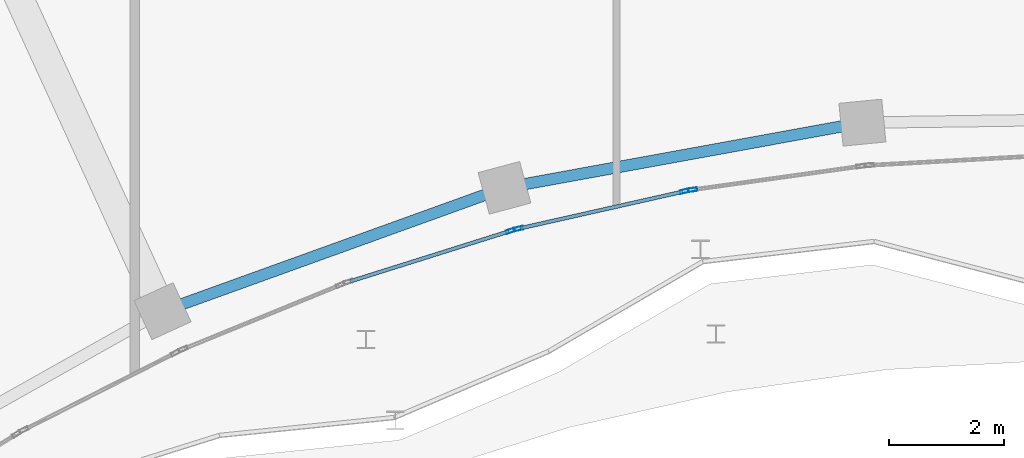
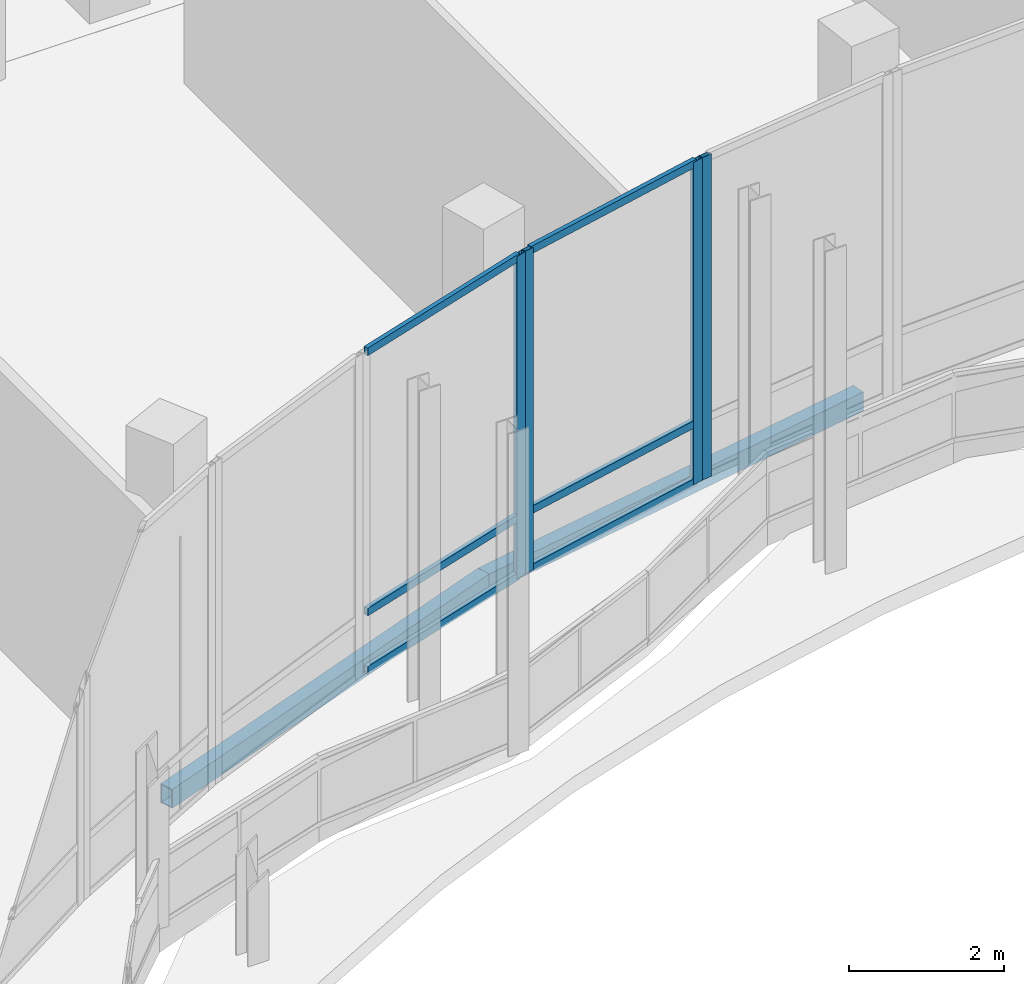
# One storey, part 64 of 158: 10 members, 2 beams, 3 elements without a shape of their own.
"""IFC4 building model written with IfcOpenShell, lengths in metres."""

import ifcopenshell
import ifcopenshell.guid

model = None  # the IFC model being written
_history = None  # IfcOwnerHistory: only IFC2X3 demands one
_inside = {}  # id of a spatial element -> (the spatial element, [elements in it])
_under = {}  # id of a project, library or spatial element -> (it, [spatial elements below it])
_declared = {}  # id of a project -> (the project, [libraries it declares])
_typed = {}  # id of a type object -> (the type object, [elements of that type])
_made_of = {}  # id of a material, layer set ... -> (it, [elements and type objects made of it])


def new_model(schema):
    """Start an empty IFC model of exactly this schema.

    Asked for "IFC4X3", IfcOpenShell would pick the latest addendum, in which some entities
    have other attributes; the version numbers below select the first issue.
    IFC2X3 requires an IfcOwnerHistory on every rooted entity: one is made here for all.
    """
    global model, _history
    if schema == "IFC4X3":
        model = ifcopenshell.file(schema_version=(4, 3, 0, 0))
    else:
        model = ifcopenshell.file(schema=schema)
    _inside.clear()
    _under.clear()
    _declared.clear()
    _typed.clear()
    _made_of.clear()
    _history = None
    if model.schema == "IFC2X3":
        org = make("IfcOrganization", Name="unknown")
        user = make(
            "IfcPersonAndOrganization",
            ThePerson=make("IfcPerson", FamilyName="unknown"),
            TheOrganization=org,
        )
        app = make(
            "IfcApplication",
            ApplicationDeveloper=org,
            Version="unknown",
            ApplicationFullName="unknown",
            ApplicationIdentifier="unknown",
        )
        _history = make(
            "IfcOwnerHistory",
            OwningUser=user,
            OwningApplication=app,
            ChangeAction="ADDED",
            CreationDate=0,
        )
    return model


def make(cls, **values):
    """One entity of the class cls with the attributes given. An attribute that is None is left unset."""
    return model.create_entity(
        cls, **{name: value for name, value in values.items() if value is not None}
    )


def rooted(cls, **values):
    """An entity with a GlobalId (a new one), such as an element, a storey or a relation."""
    return make(cls, GlobalId=ifcopenshell.guid.new(), OwnerHistory=_history, **values)


def si_unit(unit_type, name, prefix=None):
    """IfcSIUnit, for example si_unit("LENGTHUNIT", "METRE", prefix="MILLI")."""
    return make("IfcSIUnit", UnitType=unit_type, Prefix=prefix, Name=name)


def assignment(units):
    """IfcUnitAssignment: the units of a project."""
    return None if units is None else make("IfcUnitAssignment", Units=units)


def point(xyz):
    """IfcCartesianPoint."""
    return None if xyz is None else make("IfcCartesianPoint", Coordinates=xyz)


def direction(xyz):
    """IfcDirection."""
    return None if xyz is None else make("IfcDirection", DirectionRatios=xyz)


def frame(location, z_axis=None, x_axis=None):
    """IfcAxis2Placement3D, a coordinate frame: its origin and axes. An axis left out is left unset."""
    return make(
        "IfcAxis2Placement3D",
        Location=point(location),
        Axis=direction(z_axis),
        RefDirection=direction(x_axis),
    )


def frame_2d(location, x_axis=None):
    """IfcAxis2Placement2D, a coordinate frame in the plane: its origin and x axis."""
    return make(
        "IfcAxis2Placement2D", Location=point(location), RefDirection=direction(x_axis)
    )


def origin():
    """The frame at (0, 0, 0) with its axes left unset."""
    return frame((0.0, 0.0, 0.0))


def origin_2d():
    """The frame at (0, 0) in the plane with its x axis left unset."""
    return frame_2d((0.0, 0.0))


def place(relative_to, where):
    """IfcLocalPlacement: puts the frame where relative to a parent placement (None: the world)."""
    return make(
        "IfcLocalPlacement", PlacementRelTo=relative_to, RelativePlacement=where
    )


def context(
    kind, dimensions, precision=None, world=None, true_north=None, identifier=None
):
    """IfcGeometricRepresentationContext, for example the 3D "Model" context."""
    return make(
        "IfcGeometricRepresentationContext",
        ContextIdentifier=identifier,
        ContextType=kind,
        CoordinateSpaceDimension=dimensions,
        Precision=precision,
        WorldCoordinateSystem=world,
        TrueNorth=true_north,
    )


def subcontext(parent, identifier, kind, view, scale=None):
    """IfcGeometricRepresentationSubContext, for example "Body" below "Model"."""
    return make(
        "IfcGeometricRepresentationSubContext",
        ContextIdentifier=identifier,
        ContextType=kind,
        ParentContext=parent,
        TargetScale=scale,
        TargetView=view,
    )


def project(units=None, contexts=None):
    """IfcProject with its units and contexts."""
    return rooted(
        "IfcProject",
        Name="project",
        RepresentationContexts=contexts,
        UnitsInContext=assignment(units),
    )


def spatial(cls, under=None, at=None, **own):
    """A site, building, storey or space (cls), placed at a placement, below another one or the project."""
    s = rooted(cls, ObjectPlacement=at, **own)
    if under is not None:
        _under.setdefault(under.id(), (under, []))[1].append(s)
    return s


def profile(cls, at=None, kind="AREA", **sizes):
    """A parametric profile (cls). Its sizes go by their IFC names, for example OverallWidth=200.0."""
    return make(cls, ProfileType=kind, Position=at, **sizes)


def hollow_rectangle(**sizes):
    """IfcRectangleHollowProfileDef."""
    return profile("IfcRectangleHollowProfileDef", **sizes)


def extrude(swept, where, along, depth):
    """IfcExtrudedAreaSolid: the profile swept, set in the frame where, extruded along a direction by depth."""
    return make(
        "IfcExtrudedAreaSolid",
        SweptArea=swept,
        Position=where,
        ExtrudedDirection=direction(along),
        Depth=depth,
    )


def shape(context_of_items, identifier, shape_type, items):
    """IfcShapeRepresentation: the items that make up one representation, for example the "Body"."""
    return make(
        "IfcShapeRepresentation",
        ContextOfItems=context_of_items,
        RepresentationIdentifier=identifier,
        RepresentationType=shape_type,
        Items=items,
    )


def material(Name=None, Category=None):
    """IfcMaterial."""
    return make("IfcMaterial", Name=Name, Category=Category)


def material_profile(
    of_material, cross_section, Name=None, Category=None, Priority=None
):
    """IfcMaterialProfile: a cross section and its material."""
    return make(
        "IfcMaterialProfile",
        Name=Name,
        Material=of_material,
        Profile=cross_section,
        Priority=Priority,
        Category=Category,
    )


def profile_set(profiles, Name=None, composite=None):
    """IfcMaterialProfileSet."""
    return make(
        "IfcMaterialProfileSet",
        Name=Name,
        MaterialProfiles=profiles,
        CompositeProfile=composite,
    )


def made_of(thing, what):
    """Note that an element or type object is made of a material, layer set ...; save() writes the relation."""
    if what is not None:
        _made_of.setdefault(what.id(), (what, []))[1].append(thing)
    return thing


def type_object(cls, material=None, **own):
    """A type object (cls), such as IfcWallType, which elements share."""
    return made_of(rooted(cls, **own), material)


def element(
    cls,
    number,
    at=None,
    inside=None,
    cuts=None,
    type_object=None,
    material=None,
    context=None,
    identifier="Body",
    shape_type=None,
    held_by="IfcProductDefinitionShape",
    body=None,
    shapes=None,
    **own,
):
    """One element of the class cls, such as IfcWall. Its Tag is "e" and its number.

    at: its placement. inside: the storey or other place that contains it. cuts: it is an
    opening in that element (IfcRelVoidsElement). A single representation is given by context,
    identifier, shape_type and body (its items); several are given by shapes. held_by: the class
    of the entity that holds the representations. save() writes the other relations.
    """
    e = rooted(cls, Tag="e%d" % number, ObjectPlacement=at, **own)
    if body is not None:
        shapes = [shape(context, identifier, shape_type, body)]
    if shapes is not None:
        e.Representation = make(held_by, Representations=shapes)
    if inside is not None:
        _inside.setdefault(inside.id(), (inside, []))[1].append(e)
    if cuts is not None:
        rooted(
            "IfcRelVoidsElement", RelatingBuildingElement=cuts, RelatedOpeningElement=e
        )
    if type_object is not None:
        _typed.setdefault(type_object.id(), (type_object, []))[1].append(e)
    return made_of(e, material)


def aggregate(whole, parts):
    """IfcRelAggregates: a whole, such as a stair, and the parts it consists of."""
    return rooted("IfcRelAggregates", RelatingObject=whole, RelatedObjects=parts)


def save(model, path):
    """Write the relations noted so far, then the file.

    IfcRelAggregates (storeys below a building ...), IfcRelContainedInSpatialStructure (elements
    in a storey), IfcRelDefinesByType, IfcRelAssociatesMaterial and IfcRelDeclares: one each for
    every whole, place, type object, material and project.
    """
    for whole, parts in _under.values():
        aggregate(whole, parts)
    for where, things in _inside.values():
        rooted(
            "IfcRelContainedInSpatialStructure",
            RelatedElements=things,
            RelatingStructure=where,
        )
    for kind, things in _typed.values():
        rooted("IfcRelDefinesByType", RelatedObjects=things, RelatingType=kind)
    for what, things in _made_of.values():
        rooted("IfcRelAssociatesMaterial", RelatedObjects=things, RelatingMaterial=what)
    for by, libraries in _declared.values():
        rooted("IfcRelDeclares", RelatingContext=by, RelatedDefinitions=libraries)
    model.write(path)


model = new_model("IFC4")

# Units and contexts
model_context = context("Model", 3, precision=1e-05, world=origin(), true_north=direction((0.0, 1.0)))
body_context = subcontext(model_context, "Body", "Model", "MODEL_VIEW")
ifc_project = project(units=[si_unit("LENGTHUNIT", "METRE"), si_unit("AREAUNIT", "SQUARE_METRE"), si_unit("VOLUMEUNIT", "CUBIC_METRE"), si_unit("PLANEANGLEUNIT", "RADIAN"), si_unit("MASSUNIT", "GRAM", prefix="KILO")], contexts=[model_context])

# Site, building, storey
site_placement = place(None, origin())
site = spatial("IfcSite", under=ifc_project, at=site_placement, CompositionType="ELEMENT")
building_placement = place(site_placement, origin())
building = spatial("IfcBuilding", under=site, at=building_placement, Name="Selatvlak General Hospital", CompositionType="ELEMENT")
storey_placement = place(building_placement, origin())
storey = spatial("IfcBuildingStorey", under=building, at=storey_placement, Name="L00", CompositionType="ELEMENT", Elevation=0.0)

# Beams
ifc_material_1 = material(Name="Steel S355", Category="steel")
ifc_material_profile_1 = material_profile(ifc_material_1, hollow_rectangle(XDim=0.199951171875, YDim=0.300048828125, WallThickness=0.011962890625, at=origin_2d()), Name="RHS 300x200x12")
ifc_profile_set_1 = profile_set([ifc_material_profile_1], Name="Steel S355")
beam_type = type_object("IfcBeamType", Name="BM-SP3", PredefinedType="SPANDREL", material=ifc_profile_set_1)
beam_1_placement = place(storey_placement, frame((124.083984375, 51.281005859375, -0.5), z_axis=(0.94065259152, 0.339371038933, 0.0), x_axis=(-0.339371038933, 0.94065259152, 0.0)))
element("IfcBeam", 1, at=beam_1_placement, inside=storey, type_object=beam_type, Name="Beam BMR-L00-0380", PredefinedType="SPANDREL", context=body_context, shape_type="SweptSolid", body=[
    extrude(hollow_rectangle(XDim=0.199951171875, YDim=0.300048828125, WallThickness=0.011962890625, at=origin_2d()), origin(), (0.0, 0.0, 1.0), 6.341552734375),
])
beam_2_placement = place(storey_placement, frame((130.049072265625, 53.43310546875, -0.5), z_axis=(0.98381754343, 0.179173215743, 0.0), x_axis=(-0.179173215743, 0.98381754343, 0.0)))
element("IfcBeam", 2, at=beam_2_placement, inside=storey, type_object=beam_type, Name="Beam BMR-L00-0381", PredefinedType="SPANDREL", context=body_context, shape_type="SweptSolid", body=[
    extrude(hollow_rectangle(XDim=0.199951171875, YDim=0.300048828125, WallThickness=0.011962890625, at=origin_2d()), origin(), (0.0, 0.0, 1.0), 6.345703125),
])

# Curtain wall, member
ifc_material_2 = material(Name="Solar-control Low-E double glazing", Category="glass")
curtain_wall_type_1 = type_object("IfcCurtainWallType", Name="CW-CW-01", PredefinedType="USERDEFINED", material=ifc_material_2)
curtain_wall_1_placement = place(storey_placement, origin())
curtain_wall_1 = element("IfcCurtainWall", 3, at=curtain_wall_1_placement, inside=storey, type_object=curtain_wall_type_1, Name="Glazed facade curtain wall CW-L00-0033", ObjectType="UNITISED CURTAIN WALL", PredefinedType="USERDEFINED")
ifc_material_3 = material(Name="Dark anodised aluminium mullion", Category="aluminium")
ifc_material_profile_2 = material_profile(ifc_material_3, hollow_rectangle(XDim=0.06494140625, YDim=0.159912109375, WallThickness=0.00390625, at=origin_2d()), Name="AL-MUL 65x160x4")
ifc_profile_set_2 = profile_set([ifc_material_profile_2], Name="Dark anodised aluminium mullion")
member_type_1 = type_object("IfcMemberType", Name="CWM-01", PredefinedType="MULLION", material=ifc_profile_set_2)
member_1_placement = place(storey_placement, frame((133.330078125, 53.3994140625, 0.0), z_axis=(0.0, 0.0, 1.0), x_axis=(0.138421573138, -0.990373398315, 0.0)))
member_1 = element("IfcMember", 4, at=member_1_placement, type_object=member_type_1, Name="CW-01 mullion 2", PredefinedType="MULLION", context=body_context, shape_type="SweptSolid", body=[
    extrude(hollow_rectangle(XDim=0.06494140625, YDim=0.159912109375, WallThickness=0.00390625, at=origin_2d()), origin(), (0.0, 0.0, 1.0), 5.080078125),
])
aggregate(curtain_wall_1, [member_1])

# Curtain wall, members
curtain_wall_type_2 = type_object("IfcCurtainWallType", Name="CW-CW-02", PredefinedType="USERDEFINED", material=ifc_material_2)
curtain_wall_2_placement = place(storey_placement, origin())
curtain_wall_2 = element("IfcCurtainWall", 5, at=curtain_wall_2_placement, inside=storey, type_object=curtain_wall_type_2, Name="Glazed facade curtain wall CW-L00-0034", ObjectType="UNITISED CURTAIN WALL", PredefinedType="USERDEFINED")
member_2_placement = place(storey_placement, frame((133.187255859375, 53.371826171875, 0.0), z_axis=(0.0, 0.0, 1.0), x_axis=(0.219653455874, -0.975577961684, 0.0)))
member_2 = element("IfcMember", 6, at=member_2_placement, type_object=member_type_1, Name="CW-02 mullion 1", PredefinedType="MULLION", context=body_context, shape_type="SweptSolid", body=[
    extrude(hollow_rectangle(XDim=0.06494140625, YDim=0.159912109375, WallThickness=0.00390625, at=origin_2d()), origin(), (0.0, 0.0, 1.0), 5.080078125),
])
member_3_placement = place(storey_placement, frame((130.292724609375, 52.72021484375, 0.0), z_axis=(0.0, 0.0, 1.0), x_axis=(0.219653455874, -0.975577961684, 0.0)))
member_3 = element("IfcMember", 7, at=member_3_placement, type_object=member_type_1, Name="CW-02 mullion 2", PredefinedType="MULLION", context=body_context, shape_type="SweptSolid", body=[
    extrude(hollow_rectangle(XDim=0.06494140625, YDim=0.159912109375, WallThickness=0.00390625, at=origin_2d()), origin(), (0.0, 0.0, 1.0), 5.080078125),
])

# Curtain wall, member
curtain_wall_3_placement = place(storey_placement, origin())
curtain_wall_3 = element("IfcCurtainWall", 8, at=curtain_wall_3_placement, inside=storey, type_object=curtain_wall_type_1, Name="Glazed facade curtain wall CW-L00-0035", ObjectType="UNITISED CURTAIN WALL", PredefinedType="USERDEFINED")
member_4_placement = place(storey_placement, frame((130.153076171875, 52.68115234375, 0.0), z_axis=(0.0, 0.0, 1.0), x_axis=(0.300246961422, -0.953861500511, 0.0)))
member_4 = element("IfcMember", 9, at=member_4_placement, type_object=member_type_1, Name="CW-01 mullion 1", PredefinedType="MULLION", context=body_context, shape_type="SweptSolid", body=[
    extrude(hollow_rectangle(XDim=0.06494140625, YDim=0.159912109375, WallThickness=0.00390625, at=origin_2d()), origin(), (0.0, 0.0, 1.0), 5.080078125),
])

# Member
ifc_material_profile_3 = material_profile(ifc_material_3, hollow_rectangle(XDim=0.06494140625, YDim=0.1201171875, WallThickness=0.00390625, at=origin_2d()), Name="AL-TRN 65x120x4")
ifc_profile_set_3 = profile_set([ifc_material_profile_3], Name="Dark anodised aluminium mullion")
member_type_2 = type_object("IfcMemberType", Name="CWT-01", PredefinedType="USERDEFINED", material=ifc_profile_set_3)
member_5_placement = place(storey_placement, frame((133.155517578125, 53.36474609375, 0.032470703125), z_axis=(-0.975575511541, -0.219664337757, 0.0), x_axis=(0.219664337757, -0.975575511541, 0.0)))
member_5 = element("IfcMember", 10, at=member_5_placement, type_object=member_type_2, Name="CW-02 transom 1.1", ObjectType="TRANSOM", PredefinedType="USERDEFINED", context=body_context, shape_type="SweptSolid", body=[
    extrude(hollow_rectangle(XDim=0.06494140625, YDim=0.1201171875, WallThickness=0.00390625, at=origin_2d()), origin(), (0.0, 0.0, 1.0), 2.90185546875),
])

member_6_placement = place(storey_placement, frame((133.155517578125, 53.36474609375, 0.949951171875), z_axis=(-0.975575511541, -0.219664337757, 0.0), x_axis=(0.219664337757, -0.975575511541, 0.0)))
member_6 = element("IfcMember", 11, at=member_6_placement, type_object=member_type_2, Name="CW-02 transom 1.2", ObjectType="TRANSOM", PredefinedType="USERDEFINED", context=body_context, shape_type="SweptSolid", body=[
    extrude(hollow_rectangle(XDim=0.06494140625, YDim=0.1201171875, WallThickness=0.00390625, at=origin_2d()), origin(), (0.0, 0.0, 1.0), 2.90185546875),
])

member_7_placement = place(storey_placement, frame((133.155517578125, 53.36474609375, 5.047607421875), z_axis=(-0.975575511541, -0.219664337757, 0.0), x_axis=(0.219664337757, -0.975575511541, 0.0)))
member_7 = element("IfcMember", 12, at=member_7_placement, type_object=member_type_2, Name="CW-02 transom 1.3", ObjectType="TRANSOM", PredefinedType="USERDEFINED", context=body_context, shape_type="SweptSolid", body=[
    extrude(hollow_rectangle(XDim=0.06494140625, YDim=0.1201171875, WallThickness=0.00390625, at=origin_2d()), origin(), (0.0, 0.0, 1.0), 2.90185546875),
])

aggregate(curtain_wall_2, [member_2, member_3, member_5, member_6, member_7])

member_8_placement = place(storey_placement, frame((130.1220703125, 52.67138671875, 0.032470703125), z_axis=(-0.95387603128, -0.300200794386, 0.0), x_axis=(0.300200794386, -0.95387603128, 0.0)))
member_8 = element("IfcMember", 13, at=member_8_placement, type_object=member_type_2, Name="CW-01 transom 1.1", ObjectType="TRANSOM", PredefinedType="USERDEFINED", context=body_context, shape_type="SweptSolid", body=[
    extrude(hollow_rectangle(XDim=0.06494140625, YDim=0.1201171875, WallThickness=0.00390625, at=origin_2d()), origin(), (0.0, 0.0, 1.0), 2.90087890625),
])

member_9_placement = place(storey_placement, frame((130.1220703125, 52.67138671875, 0.949951171875), z_axis=(-0.95387603128, -0.300200794386, 0.0), x_axis=(0.300200794386, -0.95387603128, 0.0)))
member_9 = element("IfcMember", 14, at=member_9_placement, type_object=member_type_2, Name="CW-01 transom 1.2", ObjectType="TRANSOM", PredefinedType="USERDEFINED", context=body_context, shape_type="SweptSolid", body=[
    extrude(hollow_rectangle(XDim=0.06494140625, YDim=0.1201171875, WallThickness=0.00390625, at=origin_2d()), origin(), (0.0, 0.0, 1.0), 2.90087890625),
])

member_10_placement = place(storey_placement, frame((130.1220703125, 52.67138671875, 5.047607421875), z_axis=(-0.95387603128, -0.300200794386, 0.0), x_axis=(0.300200794386, -0.95387603128, 0.0)))
member_10 = element("IfcMember", 15, at=member_10_placement, type_object=member_type_2, Name="CW-01 transom 1.3", ObjectType="TRANSOM", PredefinedType="USERDEFINED", context=body_context, shape_type="SweptSolid", body=[
    extrude(hollow_rectangle(XDim=0.06494140625, YDim=0.1201171875, WallThickness=0.00390625, at=origin_2d()), origin(), (0.0, 0.0, 1.0), 2.90087890625),
])

aggregate(curtain_wall_3, [member_4, member_8, member_9, member_10])

save(model, "model.ifc")
